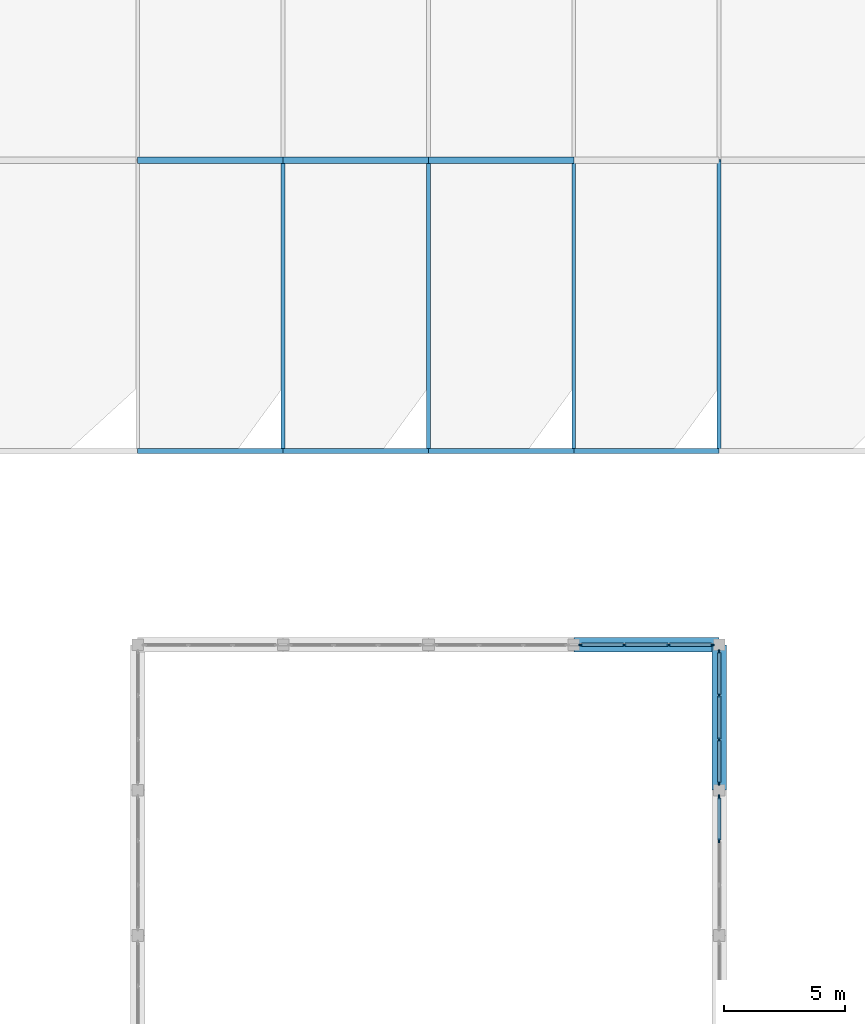
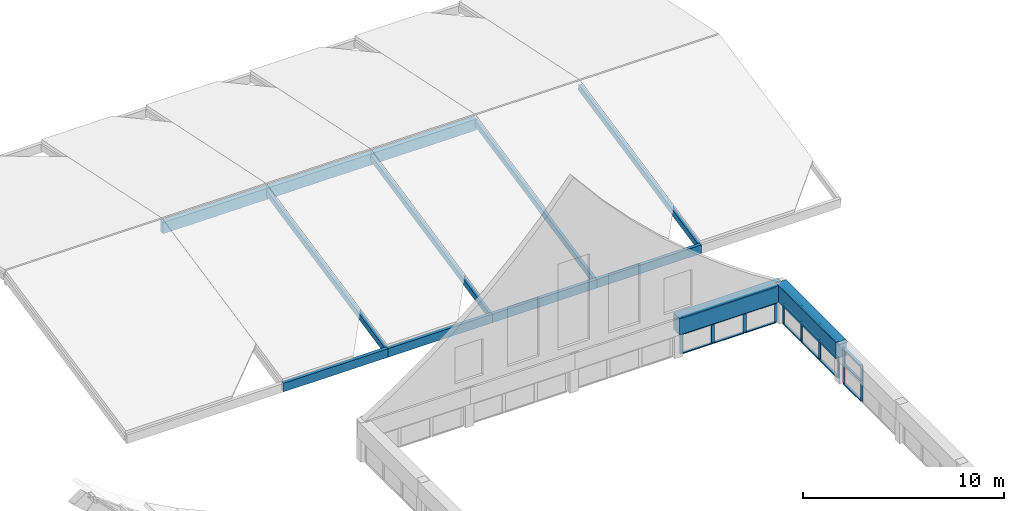
# One storey, part 19 of 45: 31 members, 13 beams, 3 elements without a shape of their own.
"""IFC4 building model written with IfcOpenShell, lengths in metres."""

from ifc_helpers import new_model, si_unit, direction, frame, origin, origin_2d, place, context, subcontext, project, spatial, rectangle, extrude, material, layer, layer_set, material_profile, profile_set, type_object, element, aggregate, save


model = new_model("IFC4")

# Units and contexts
model_context = context("Model", 3, precision=1e-05, world=origin(), true_north=direction((0.0, 1.0)))
body_context = subcontext(model_context, "Body", "Model", "MODEL_VIEW")
ifc_project = project(units=[si_unit("LENGTHUNIT", "METRE"), si_unit("AREAUNIT", "SQUARE_METRE"), si_unit("VOLUMEUNIT", "CUBIC_METRE"), si_unit("PLANEANGLEUNIT", "RADIAN"), si_unit("MASSUNIT", "GRAM", prefix="KILO")], contexts=[model_context])

# Site, building, storey
site_placement = place(None, origin())
site = spatial("IfcSite", under=ifc_project, at=site_placement, CompositionType="ELEMENT")
building_placement = place(site_placement, origin())
building = spatial("IfcBuilding", under=site, at=building_placement, Name="Solvane Community Centre", CompositionType="ELEMENT")
storey_placement = place(building_placement, frame((0.0, 0.0, 13.800048828125)))
storey = spatial("IfcBuildingStorey", under=building, at=storey_placement, Name="L03", CompositionType="ELEMENT", Elevation=13.800048828125)

# Beams
ifc_material_1 = material(Name="Glulam GL28h", Category="wood")
ifc_material_profile_1 = material_profile(ifc_material_1, rectangle(XDim=0.260009765625, YDim=0.679931640625, at=origin_2d()), Name="GL28h 260x680")
ifc_profile_set_1 = profile_set([ifc_material_profile_1], Name="Glulam GL28h")
beam_type_1 = type_object("IfcBeamType", Name="Glulam Primary Girder 260x680", PredefinedType="USERDEFINED", material=ifc_profile_set_1)
for number, where, z_axis, x_axis, name in (
    (1, (36.0, 98.0, 1.9599609375), (1.0, 0.0, 0.0), (0.0, 1.0, 0.0), "Beam BM-L03-360_980-420_980"),
    (2, (42.0, 98.0, 1.9599609375), (1.0, 0.0, 0.0), (0.0, 1.0, 0.0), "Beam BM-L03-420_980-480_980"),
    (3, (48.0, 98.0, 1.9599609375), (1.0, 0.0, 0.0), (0.0, 1.0, 0.0), "Beam BM-L03-480_980-540_980"),
):
    element("IfcBeam", number, at=place(storey_placement, frame(where, z_axis=z_axis, x_axis=x_axis)), inside=storey, type_object=beam_type_1, Name=name, ObjectType="GIRDER", PredefinedType="USERDEFINED", context=body_context, shape_type="SweptSolid", body=[
        extrude(rectangle(XDim=0.260009765625, YDim=0.679931640625, at=origin_2d()), origin(), (0.0, 0.0, 1.0), 6.0),
    ])
ifc_material_profile_2 = material_profile(ifc_material_1, rectangle(XDim=0.159912109375, YDim=0.360107421875, at=origin_2d()), Name="GL28h 160x360")
ifc_profile_set_2 = profile_set([ifc_material_profile_2], Name="Glulam GL28h")
beam_type_2 = type_object("IfcBeamType", Name="Glulam Roof Rafter 160x360", PredefinedType="BEAM", material=ifc_profile_set_2)
for number, where, z_axis, x_axis, name in (
    (4, (42.0, 86.0, -0.425048828125), (0.0, 0.978980419738, 0.203954254112), (-1.0, 0.0, 0.0), "Beam BM-L03-420_860-420_980"),
    (5, (48.0, 86.0, -0.425048828125), (0.0, 0.978980419738, 0.203954254112), (-1.0, 0.0, 0.0), "Beam BM-L03-480_860-480_980"),
    (6, (54.0, 86.0, -0.425048828125), (0.0, 0.978980419738, 0.203954254112), (-1.0, 0.0, 0.0), "Beam BM-L03-540_860-540_980"),
    (7, (60.0, 86.0, -0.425048828125), (0.0, 0.978980419738, 0.203954254112), (-1.0, 0.0, 0.0), "Beam BM-L03-600_860-600_980"),
):
    element("IfcBeam", number, at=place(storey_placement, frame(where, z_axis=z_axis, x_axis=x_axis)), inside=storey, type_object=beam_type_2, Name=name, PredefinedType="BEAM", context=body_context, shape_type="SweptSolid", body=[
        extrude(rectangle(XDim=0.159912109375, YDim=0.360107421875, at=origin_2d()), origin(), (0.0, 0.0, 1.0), 12.257568359375),
    ])
ifc_material_profile_3 = material_profile(ifc_material_1, rectangle(XDim=0.199951171875, YDim=0.52001953125, at=origin_2d()), Name="GL28h 200x520")
ifc_profile_set_3 = profile_set([ifc_material_profile_3], Name="Glulam GL28h")
beam_type_3 = type_object("IfcBeamType", Name="Glulam Spandrel Beam 200x520", PredefinedType="SPANDREL", material=ifc_profile_set_3)
for number, where, z_axis, x_axis, name in (
    (8, (36.0, 86.0, -0.4599609375), (1.0, 0.0, 0.0), (0.0, 1.0, 0.0), "Beam BM-L03-360_860-420_860"),
    (9, (42.0, 86.0, -0.4599609375), (1.0, 0.0, 0.0), (0.0, 1.0, 0.0), "Beam BM-L03-420_860-480_860"),
    (10, (48.0, 86.0, -0.4599609375), (1.0, 0.0, 0.0), (0.0, 1.0, 0.0), "Beam BM-L03-480_860-540_860"),
    (11, (54.0, 86.0, -0.4599609375), (1.0, 0.0, 0.0), (0.0, 1.0, 0.0), "Beam BM-L03-540_860-600_860"),
):
    element("IfcBeam", number, at=place(storey_placement, frame(where, z_axis=z_axis, x_axis=x_axis)), inside=storey, type_object=beam_type_3, Name=name, PredefinedType="SPANDREL", context=body_context, shape_type="SweptSolid", body=[
        extrude(rectangle(XDim=0.199951171875, YDim=0.52001953125, at=origin_2d()), origin(), (0.0, 0.0, 1.0), 6.0),
    ])

# Curtain wall, members
ifc_material_2 = material(Name="Anodised bronze aluminium AW-6063 T6", Category="aluminium")
ifc_layer = layer(ifc_material_2, 0.179931640625)
ifc_layer_set = layer_set([ifc_layer], Name="Anodised bronze aluminium AW-6063 T6")
curtain_wall_type = type_object("IfcCurtainWallType", Name="Hall Translucent Upper Curtain Wall [55x22dm]", PredefinedType="NOTDEFINED", material=ifc_layer_set)
curtain_wall_1_placement = place(storey_placement, origin())
curtain_wall_1 = element("IfcCurtainWall", 12, at=curtain_wall_1_placement, inside=storey, type_object=curtain_wall_type, Name="Curtain Wall CW-L03-600_663-148", PredefinedType="NOTDEFINED")
ifc_material_profile_4 = material_profile(ifc_material_2, rectangle(XDim=0.06005859375, YDim=0.179931640625, at=origin_2d()), Name="CW-M 60x180")
ifc_profile_set_4 = profile_set([ifc_material_profile_4], Name="Anodised bronze aluminium AW-6063 T6")
member_type_1 = type_object("IfcMemberType", Name="Hall Mullion 60x180", PredefinedType="MULLION", material=ifc_profile_set_4)
member_1_placement = place(storey_placement, frame((60.0, 69.9150390625, 0.0), z_axis=(0.0, 0.0, 1.0), x_axis=(-1.0, 0.0, 0.0)))
member_1 = element("IfcMember", 13, at=member_1_placement, type_object=member_type_1, Name="CW01-55x22 mullion 3", PredefinedType="MULLION", context=body_context, shape_type="SweptSolid", body=[
    extrude(rectangle(XDim=0.06005859375, YDim=0.179931640625, at=origin_2d()), origin(), (0.0, 0.0, 1.0), 2.179931640625),
])
member_2_placement = place(storey_placement, frame((60.0, 71.715087890625, 0.0), z_axis=(0.0, 0.0, 1.0), x_axis=(-1.0, 0.0, 0.0)))
member_2 = element("IfcMember", 14, at=member_2_placement, type_object=member_type_1, Name="CW01-55x22 mullion 4", PredefinedType="MULLION", context=body_context, shape_type="SweptSolid", body=[
    extrude(rectangle(XDim=0.06005859375, YDim=0.179931640625, at=origin_2d()), origin(), (0.0, 0.0, 1.0), 2.179931640625),
])

curtain_wall_2_placement = place(storey_placement, origin())
curtain_wall_2 = element("IfcCurtainWall", 15, at=curtain_wall_2_placement, inside=storey, type_object=curtain_wall_type, Name="Curtain Wall CW-L03-600_723-149", PredefinedType="NOTDEFINED")
member_3_placement = place(storey_placement, frame((60.0, 72.284912109375, 0.0), z_axis=(0.0, 0.0, 1.0), x_axis=(-1.0, 0.0, 0.0)))
member_3 = element("IfcMember", 16, at=member_3_placement, type_object=member_type_1, Name="CW01-55x22 mullion 1", PredefinedType="MULLION", context=body_context, shape_type="SweptSolid", body=[
    extrude(rectangle(XDim=0.06005859375, YDim=0.179931640625, at=origin_2d()), origin(), (0.0, 0.0, 1.0), 2.179931640625),
])
member_4_placement = place(storey_placement, frame((60.0, 74.0849609375, 0.0), z_axis=(0.0, 0.0, 1.0), x_axis=(-1.0, 0.0, 0.0)))
member_4 = element("IfcMember", 17, at=member_4_placement, type_object=member_type_1, Name="CW01-55x22 mullion 2", PredefinedType="MULLION", context=body_context, shape_type="SweptSolid", body=[
    extrude(rectangle(XDim=0.06005859375, YDim=0.179931640625, at=origin_2d()), origin(), (0.0, 0.0, 1.0), 2.179931640625),
])
member_5_placement = place(storey_placement, frame((60.0, 75.9150390625, 0.0), z_axis=(0.0, 0.0, 1.0), x_axis=(-1.0, 0.0, 0.0)))
member_5 = element("IfcMember", 18, at=member_5_placement, type_object=member_type_1, Name="CW01-55x22 mullion 3", PredefinedType="MULLION", context=body_context, shape_type="SweptSolid", body=[
    extrude(rectangle(XDim=0.06005859375, YDim=0.179931640625, at=origin_2d()), origin(), (0.0, 0.0, 1.0), 2.179931640625),
])
member_6_placement = place(storey_placement, frame((60.0, 77.715087890625, 0.0), z_axis=(0.0, 0.0, 1.0), x_axis=(-1.0, 0.0, 0.0)))
member_6 = element("IfcMember", 19, at=member_6_placement, type_object=member_type_1, Name="CW01-55x22 mullion 4", PredefinedType="MULLION", context=body_context, shape_type="SweptSolid", body=[
    extrude(rectangle(XDim=0.06005859375, YDim=0.179931640625, at=origin_2d()), origin(), (0.0, 0.0, 1.0), 2.179931640625),
])

curtain_wall_3_placement = place(storey_placement, origin())
curtain_wall_3 = element("IfcCurtainWall", 20, at=curtain_wall_3_placement, inside=storey, type_object=curtain_wall_type, Name="Curtain Wall CW-L03-543_780-165", PredefinedType="NOTDEFINED")
member_7_placement = place(storey_placement, frame((54.284912109375, 78.0, 0.0), z_axis=(0.0, 0.0, 1.0), x_axis=(0.0, 1.0, 0.0)))
member_7 = element("IfcMember", 21, at=member_7_placement, type_object=member_type_1, Name="CW01-55x22 mullion 1", PredefinedType="MULLION", context=body_context, shape_type="SweptSolid", body=[
    extrude(rectangle(XDim=0.06005859375, YDim=0.179931640625, at=origin_2d()), origin(), (0.0, 0.0, 1.0), 2.179931640625),
])
member_8_placement = place(storey_placement, frame((56.0849609375, 78.0, 0.0), z_axis=(0.0, 0.0, 1.0), x_axis=(0.0, 1.0, 0.0)))
member_8 = element("IfcMember", 22, at=member_8_placement, type_object=member_type_1, Name="CW01-55x22 mullion 2", PredefinedType="MULLION", context=body_context, shape_type="SweptSolid", body=[
    extrude(rectangle(XDim=0.06005859375, YDim=0.179931640625, at=origin_2d()), origin(), (0.0, 0.0, 1.0), 2.179931640625),
])
member_9_placement = place(storey_placement, frame((57.9150390625, 78.0, 0.0), z_axis=(0.0, 0.0, 1.0), x_axis=(0.0, 1.0, 0.0)))
member_9 = element("IfcMember", 23, at=member_9_placement, type_object=member_type_1, Name="CW01-55x22 mullion 3", PredefinedType="MULLION", context=body_context, shape_type="SweptSolid", body=[
    extrude(rectangle(XDim=0.06005859375, YDim=0.179931640625, at=origin_2d()), origin(), (0.0, 0.0, 1.0), 2.179931640625),
])
member_10_placement = place(storey_placement, frame((59.715087890625, 78.0, 0.0), z_axis=(0.0, 0.0, 1.0), x_axis=(0.0, 1.0, 0.0)))
member_10 = element("IfcMember", 24, at=member_10_placement, type_object=member_type_1, Name="CW01-55x22 mullion 4", PredefinedType="MULLION", context=body_context, shape_type="SweptSolid", body=[
    extrude(rectangle(XDim=0.06005859375, YDim=0.179931640625, at=origin_2d()), origin(), (0.0, 0.0, 1.0), 2.179931640625),
])

# Member
ifc_material_profile_5 = material_profile(ifc_material_2, rectangle(XDim=0.139892578125, YDim=0.06005859375, at=origin_2d()), Name="CW-T 60x140")
ifc_profile_set_5 = profile_set([ifc_material_profile_5], Name="Anodised bronze aluminium AW-6063 T6")
member_type_2 = type_object("IfcMemberType", Name="Hall Transom 60x140", PredefinedType="USERDEFINED", material=ifc_profile_set_5)
member_11_placement = place(storey_placement, frame((60.0, 69.945068359375, 0.030029296875), z_axis=(0.0, 1.0, 0.0), x_axis=(-1.0, 0.0, 0.0)))
member_11 = element("IfcMember", 25, at=member_11_placement, type_object=member_type_2, Name="CW01-55x22 transom 3.1", ObjectType="TRANSOM", PredefinedType="USERDEFINED", context=body_context, shape_type="SweptSolid", body=[
    extrude(rectangle(XDim=0.139892578125, YDim=0.06005859375, at=origin_2d()), origin(), (0.0, 0.0, 1.0), 1.739990234375),
])

member_12_placement = place(storey_placement, frame((60.0, 69.945068359375, 1.198974609375), z_axis=(0.0, 1.0, 0.0), x_axis=(-1.0, 0.0, 0.0)))
member_12 = element("IfcMember", 26, at=member_12_placement, type_object=member_type_2, Name="CW01-55x22 transom 3.2", ObjectType="TRANSOM", PredefinedType="USERDEFINED", context=body_context, shape_type="SweptSolid", body=[
    extrude(rectangle(XDim=0.139892578125, YDim=0.06005859375, at=origin_2d()), origin(), (0.0, 0.0, 1.0), 1.739990234375),
])

member_13_placement = place(storey_placement, frame((60.0, 69.945068359375, 2.14990234375), z_axis=(0.0, 1.0, 0.0), x_axis=(-1.0, 0.0, 0.0)))
member_13 = element("IfcMember", 27, at=member_13_placement, type_object=member_type_2, Name="CW01-55x22 transom 3.3", ObjectType="TRANSOM", PredefinedType="USERDEFINED", context=body_context, shape_type="SweptSolid", body=[
    extrude(rectangle(XDim=0.139892578125, YDim=0.06005859375, at=origin_2d()), origin(), (0.0, 0.0, 1.0), 1.739990234375),
])

aggregate(curtain_wall_1, [member_1, member_2, member_11, member_12, member_13])

member_14_placement = place(storey_placement, frame((60.0, 72.31494140625, 0.030029296875), z_axis=(0.0, 1.0, 0.0), x_axis=(-1.0, 0.0, 0.0)))
member_14 = element("IfcMember", 28, at=member_14_placement, type_object=member_type_2, Name="CW01-55x22 transom 1.1", ObjectType="TRANSOM", PredefinedType="USERDEFINED", context=body_context, shape_type="SweptSolid", body=[
    extrude(rectangle(XDim=0.139892578125, YDim=0.06005859375, at=origin_2d()), origin(), (0.0, 0.0, 1.0), 1.739990234375),
])

member_15_placement = place(storey_placement, frame((60.0, 72.31494140625, 1.198974609375), z_axis=(0.0, 1.0, 0.0), x_axis=(-1.0, 0.0, 0.0)))
member_15 = element("IfcMember", 29, at=member_15_placement, type_object=member_type_2, Name="CW01-55x22 transom 1.2", ObjectType="TRANSOM", PredefinedType="USERDEFINED", context=body_context, shape_type="SweptSolid", body=[
    extrude(rectangle(XDim=0.139892578125, YDim=0.06005859375, at=origin_2d()), origin(), (0.0, 0.0, 1.0), 1.739990234375),
])

member_16_placement = place(storey_placement, frame((60.0, 72.31494140625, 2.14990234375), z_axis=(0.0, 1.0, 0.0), x_axis=(-1.0, 0.0, 0.0)))
member_16 = element("IfcMember", 30, at=member_16_placement, type_object=member_type_2, Name="CW01-55x22 transom 1.3", ObjectType="TRANSOM", PredefinedType="USERDEFINED", context=body_context, shape_type="SweptSolid", body=[
    extrude(rectangle(XDim=0.139892578125, YDim=0.06005859375, at=origin_2d()), origin(), (0.0, 0.0, 1.0), 1.739990234375),
])

member_17_placement = place(storey_placement, frame((60.0, 74.114990234375, 0.030029296875), z_axis=(0.0, 1.0, 0.0), x_axis=(-1.0, 0.0, 0.0)))
member_17 = element("IfcMember", 31, at=member_17_placement, type_object=member_type_2, Name="CW01-55x22 transom 2.1", ObjectType="TRANSOM", PredefinedType="USERDEFINED", context=body_context, shape_type="SweptSolid", body=[
    extrude(rectangle(XDim=0.139892578125, YDim=0.06005859375, at=origin_2d()), origin(), (0.0, 0.0, 1.0), 1.77001953125),
])

member_18_placement = place(storey_placement, frame((60.0, 74.114990234375, 1.198974609375), z_axis=(0.0, 1.0, 0.0), x_axis=(-1.0, 0.0, 0.0)))
member_18 = element("IfcMember", 32, at=member_18_placement, type_object=member_type_2, Name="CW01-55x22 transom 2.2", ObjectType="TRANSOM", PredefinedType="USERDEFINED", context=body_context, shape_type="SweptSolid", body=[
    extrude(rectangle(XDim=0.139892578125, YDim=0.06005859375, at=origin_2d()), origin(), (0.0, 0.0, 1.0), 1.77001953125),
])

member_19_placement = place(storey_placement, frame((60.0, 74.114990234375, 2.14990234375), z_axis=(0.0, 1.0, 0.0), x_axis=(-1.0, 0.0, 0.0)))
member_19 = element("IfcMember", 33, at=member_19_placement, type_object=member_type_2, Name="CW01-55x22 transom 2.3", ObjectType="TRANSOM", PredefinedType="USERDEFINED", context=body_context, shape_type="SweptSolid", body=[
    extrude(rectangle(XDim=0.139892578125, YDim=0.06005859375, at=origin_2d()), origin(), (0.0, 0.0, 1.0), 1.77001953125),
])

member_20_placement = place(storey_placement, frame((60.0, 75.945068359375, 0.030029296875), z_axis=(0.0, 1.0, 0.0), x_axis=(-1.0, 0.0, 0.0)))
member_20 = element("IfcMember", 34, at=member_20_placement, type_object=member_type_2, Name="CW01-55x22 transom 3.1", ObjectType="TRANSOM", PredefinedType="USERDEFINED", context=body_context, shape_type="SweptSolid", body=[
    extrude(rectangle(XDim=0.139892578125, YDim=0.06005859375, at=origin_2d()), origin(), (0.0, 0.0, 1.0), 1.739990234375),
])

member_21_placement = place(storey_placement, frame((60.0, 75.945068359375, 1.198974609375), z_axis=(0.0, 1.0, 0.0), x_axis=(-1.0, 0.0, 0.0)))
member_21 = element("IfcMember", 35, at=member_21_placement, type_object=member_type_2, Name="CW01-55x22 transom 3.2", ObjectType="TRANSOM", PredefinedType="USERDEFINED", context=body_context, shape_type="SweptSolid", body=[
    extrude(rectangle(XDim=0.139892578125, YDim=0.06005859375, at=origin_2d()), origin(), (0.0, 0.0, 1.0), 1.739990234375),
])

member_22_placement = place(storey_placement, frame((60.0, 75.945068359375, 2.14990234375), z_axis=(0.0, 1.0, 0.0), x_axis=(-1.0, 0.0, 0.0)))
member_22 = element("IfcMember", 36, at=member_22_placement, type_object=member_type_2, Name="CW01-55x22 transom 3.3", ObjectType="TRANSOM", PredefinedType="USERDEFINED", context=body_context, shape_type="SweptSolid", body=[
    extrude(rectangle(XDim=0.139892578125, YDim=0.06005859375, at=origin_2d()), origin(), (0.0, 0.0, 1.0), 1.739990234375),
])

aggregate(curtain_wall_2, [member_3, member_4, member_5, member_6, member_14, member_15, member_16, member_17, member_18, member_19, member_20, member_21, member_22])

member_23_placement = place(storey_placement, frame((54.31494140625, 78.0, 0.030029296875), z_axis=(1.0, 0.0, 0.0), x_axis=(0.0, 1.0, 0.0)))
member_23 = element("IfcMember", 37, at=member_23_placement, type_object=member_type_2, Name="CW01-55x22 transom 1.1", ObjectType="TRANSOM", PredefinedType="USERDEFINED", context=body_context, shape_type="SweptSolid", body=[
    extrude(rectangle(XDim=0.139892578125, YDim=0.06005859375, at=origin_2d()), origin(), (0.0, 0.0, 1.0), 1.739990234375),
])

member_24_placement = place(storey_placement, frame((54.31494140625, 78.0, 1.198974609375), z_axis=(1.0, 0.0, 0.0), x_axis=(0.0, 1.0, 0.0)))
member_24 = element("IfcMember", 38, at=member_24_placement, type_object=member_type_2, Name="CW01-55x22 transom 1.2", ObjectType="TRANSOM", PredefinedType="USERDEFINED", context=body_context, shape_type="SweptSolid", body=[
    extrude(rectangle(XDim=0.139892578125, YDim=0.06005859375, at=origin_2d()), origin(), (0.0, 0.0, 1.0), 1.739990234375),
])

member_25_placement = place(storey_placement, frame((54.31494140625, 78.0, 2.14990234375), z_axis=(1.0, 0.0, 0.0), x_axis=(0.0, 1.0, 0.0)))
member_25 = element("IfcMember", 39, at=member_25_placement, type_object=member_type_2, Name="CW01-55x22 transom 1.3", ObjectType="TRANSOM", PredefinedType="USERDEFINED", context=body_context, shape_type="SweptSolid", body=[
    extrude(rectangle(XDim=0.139892578125, YDim=0.06005859375, at=origin_2d()), origin(), (0.0, 0.0, 1.0), 1.739990234375),
])

member_26_placement = place(storey_placement, frame((56.114990234375, 78.0, 0.030029296875), z_axis=(1.0, 0.0, 0.0), x_axis=(0.0, 1.0, 0.0)))
member_26 = element("IfcMember", 40, at=member_26_placement, type_object=member_type_2, Name="CW01-55x22 transom 2.1", ObjectType="TRANSOM", PredefinedType="USERDEFINED", context=body_context, shape_type="SweptSolid", body=[
    extrude(rectangle(XDim=0.139892578125, YDim=0.06005859375, at=origin_2d()), origin(), (0.0, 0.0, 1.0), 1.77001953125),
])

member_27_placement = place(storey_placement, frame((56.114990234375, 78.0, 1.198974609375), z_axis=(1.0, 0.0, 0.0), x_axis=(0.0, 1.0, 0.0)))
member_27 = element("IfcMember", 41, at=member_27_placement, type_object=member_type_2, Name="CW01-55x22 transom 2.2", ObjectType="TRANSOM", PredefinedType="USERDEFINED", context=body_context, shape_type="SweptSolid", body=[
    extrude(rectangle(XDim=0.139892578125, YDim=0.06005859375, at=origin_2d()), origin(), (0.0, 0.0, 1.0), 1.77001953125),
])

member_28_placement = place(storey_placement, frame((56.114990234375, 78.0, 2.14990234375), z_axis=(1.0, 0.0, 0.0), x_axis=(0.0, 1.0, 0.0)))
member_28 = element("IfcMember", 42, at=member_28_placement, type_object=member_type_2, Name="CW01-55x22 transom 2.3", ObjectType="TRANSOM", PredefinedType="USERDEFINED", context=body_context, shape_type="SweptSolid", body=[
    extrude(rectangle(XDim=0.139892578125, YDim=0.06005859375, at=origin_2d()), origin(), (0.0, 0.0, 1.0), 1.77001953125),
])

member_29_placement = place(storey_placement, frame((57.945068359375, 78.0, 0.030029296875), z_axis=(1.0, 0.0, 0.0), x_axis=(0.0, 1.0, 0.0)))
member_29 = element("IfcMember", 43, at=member_29_placement, type_object=member_type_2, Name="CW01-55x22 transom 3.1", ObjectType="TRANSOM", PredefinedType="USERDEFINED", context=body_context, shape_type="SweptSolid", body=[
    extrude(rectangle(XDim=0.139892578125, YDim=0.06005859375, at=origin_2d()), origin(), (0.0, 0.0, 1.0), 1.739990234375),
])

member_30_placement = place(storey_placement, frame((57.945068359375, 78.0, 1.198974609375), z_axis=(1.0, 0.0, 0.0), x_axis=(0.0, 1.0, 0.0)))
member_30 = element("IfcMember", 44, at=member_30_placement, type_object=member_type_2, Name="CW01-55x22 transom 3.2", ObjectType="TRANSOM", PredefinedType="USERDEFINED", context=body_context, shape_type="SweptSolid", body=[
    extrude(rectangle(XDim=0.139892578125, YDim=0.06005859375, at=origin_2d()), origin(), (0.0, 0.0, 1.0), 1.739990234375),
])

member_31_placement = place(storey_placement, frame((57.945068359375, 78.0, 2.14990234375), z_axis=(1.0, 0.0, 0.0), x_axis=(0.0, 1.0, 0.0)))
member_31 = element("IfcMember", 45, at=member_31_placement, type_object=member_type_2, Name="CW01-55x22 transom 3.3", ObjectType="TRANSOM", PredefinedType="USERDEFINED", context=body_context, shape_type="SweptSolid", body=[
    extrude(rectangle(XDim=0.139892578125, YDim=0.06005859375, at=origin_2d()), origin(), (0.0, 0.0, 1.0), 1.739990234375),
])

aggregate(curtain_wall_3, [member_7, member_8, member_9, member_10, member_23, member_24, member_25, member_26, member_27, member_28, member_29, member_30, member_31])

# Beams
ifc_material_3 = material(Name="Concrete C35/45", Category="concrete")
ifc_material_profile_6 = material_profile(ifc_material_3, rectangle(XDim=0.60009765625, YDim=1.0, at=origin_2d()), Name="RC 600x1000")
ifc_profile_set_6 = profile_set([ifc_material_profile_6], Name="Concrete C35/45")
beam_type_4 = type_object("IfcBeamType", Name="RC Vault Thrust Ring Girder 600x1000", PredefinedType="USERDEFINED", material=ifc_profile_set_6)
for number, where, z_axis, x_axis, name in (
    (46, (60.0, 72.0, 1.89990234375), (0.0, 1.0, 0.0), (-1.0, 0.0, 0.0), "Beam BM-L03-600_720-600_780"),
    (47, (54.0, 78.0, 1.89990234375), (1.0, 0.0, 0.0), (0.0, 1.0, 0.0), "Beam BM-L03-540_780-600_780"),
):
    element("IfcBeam", number, at=place(storey_placement, frame(where, z_axis=z_axis, x_axis=x_axis)), inside=storey, type_object=beam_type_4, Name=name, ObjectType="GIRDER", PredefinedType="USERDEFINED", context=body_context, shape_type="SweptSolid", body=[
        extrude(rectangle(XDim=0.60009765625, YDim=1.0, at=origin_2d()), origin(), (0.0, 0.0, 1.0), 6.0),
    ])

save(model, "model.ifc")
